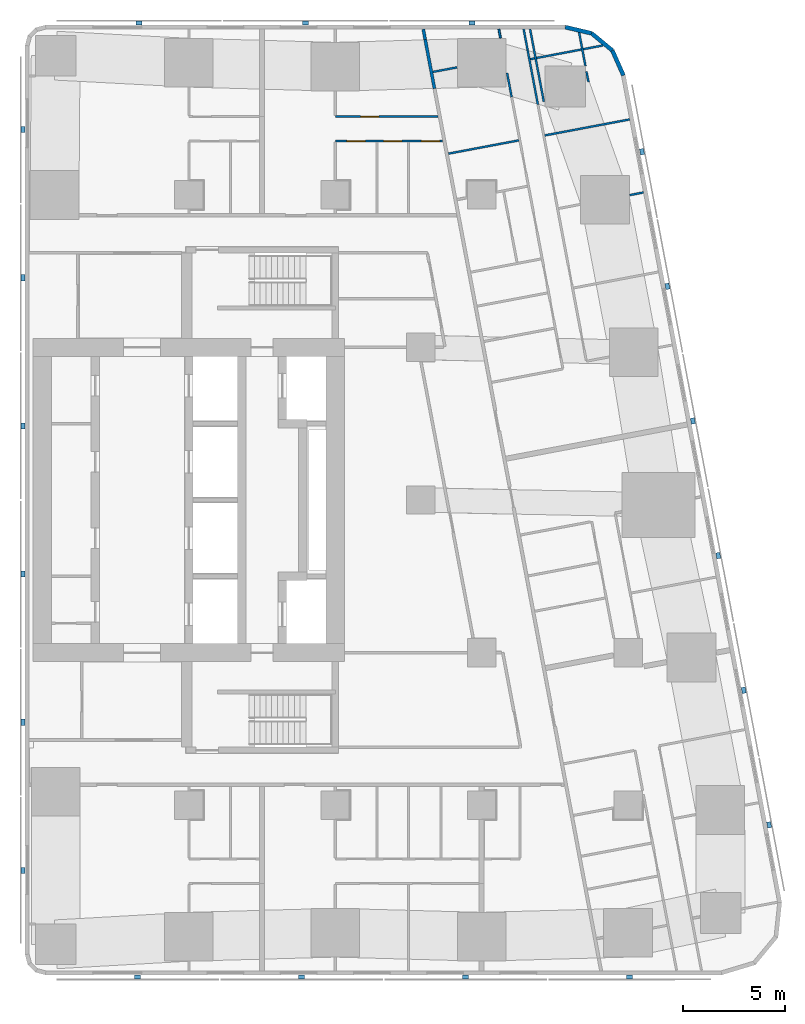
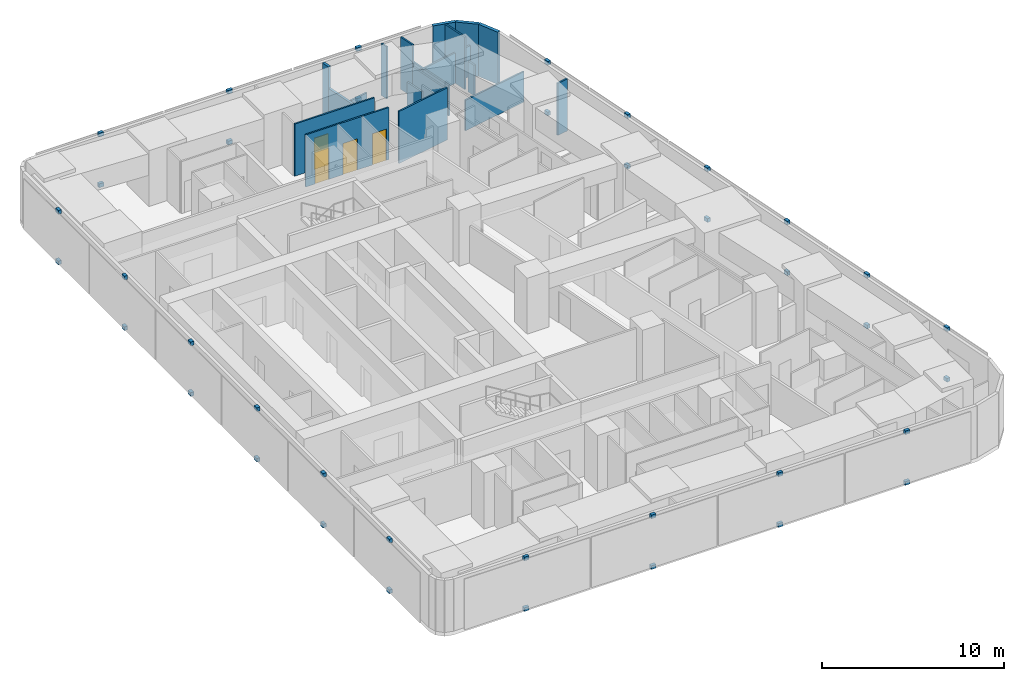
# One storey, part 8 of 10: 38 discrete accessories, 19 walls, 4 doors, 4 openings.
"""IFC4 building model written with IfcOpenShell, lengths in metres."""

from ifc_helpers import new_model, si_unit, direction, frame, frame_2d, origin, origin_2d, place, context, subcontext, project, spatial, rectangle, extrude, material, layer, layer_set, type_object, element, fill, save


model = new_model("IFC4")

# Units and contexts
model_context = context("Model", 3, precision=1e-05, world=origin(), true_north=direction((0.0, 1.0)))
body_context = subcontext(model_context, "Body", "Model", "MODEL_VIEW")
ifc_project = project(units=[si_unit("LENGTHUNIT", "METRE"), si_unit("AREAUNIT", "SQUARE_METRE"), si_unit("VOLUMEUNIT", "CUBIC_METRE"), si_unit("PLANEANGLEUNIT", "RADIAN"), si_unit("MASSUNIT", "GRAM", prefix="KILO")], contexts=[model_context])

# Site, building, storey
site_placement = place(None, origin())
site = spatial("IfcSite", under=ifc_project, at=site_placement, CompositionType="ELEMENT")
building_placement = place(site_placement, origin())
building = spatial("IfcBuilding", under=site, at=building_placement, Name="Sheger Commons Tower", CompositionType="ELEMENT")
storey_placement = place(building_placement, frame((0.0, 0.0, 227.449951171875)))
storey = spatial("IfcBuildingStorey", under=building, at=storey_placement, Name="L58", CompositionType="ELEMENT", Elevation=227.449951171875)

# Walls
ifc_material_1 = material(Name="Hollow concrete block masonry, skimmed both sides", Category="masonry")
ifc_layer_1 = layer(ifc_material_1, 0.14990234375)
ifc_layer_set_1 = layer_set([ifc_layer_1], Name="CORRIDOR WALL 150")
wall_type_1 = type_object("IfcWallType", Name="CORRIDOR WALL 150", PredefinedType="SOLIDWALL", material=ifc_layer_set_1)
wall_1_placement = place(storey_placement, frame((33.126953125, 45.64990234375, 0.0), z_axis=(0.0, 0.0, 1.0), x_axis=(0.185441815104, -0.982655246366, 0.0)))
element("IfcWall", 1, at=wall_1_placement, inside=storey, type_object=wall_type_1, Name="Corridor wall L58", PredefinedType="SOLIDWALL", context=body_context, shape_type="SweptSolid", body=[
    extrude(rectangle(XDim=0.52392578125, YDim=0.14990234375, at=frame_2d((0.261962890625, 0.0))), origin(), (0.0, 0.0, 1.0), 3.5),
])
wall_2_placement = place(storey_placement, frame((33.22412109375, 45.135009765625, 0.0), z_axis=(0.0, 0.0, 1.0), x_axis=(0.185681462868, -0.982609990967, 0.0)))
element("IfcWall", 2, at=wall_2_placement, inside=storey, type_object=wall_type_1, Name="Corridor wall L58", PredefinedType="SOLIDWALL", context=body_context, shape_type="SweptSolid", body=[
    extrude(rectangle(XDim=2.454833984375, YDim=0.14990234375, at=frame_2d((1.2275390625, 0.0))), origin(), (0.0, 0.0, 1.0), 2.050048828125),
])
ifc_material_2 = material(Name="Rendered concrete block masonry, dark grey", Category="masonry")
ifc_layer_2 = layer(ifc_material_2, 0.199951171875)
ifc_layer_set_2 = layer_set([ifc_layer_2], Name="FACADE WALL 200")
wall_type_2 = type_object("IfcWallType", Name="FACADE WALL 200", PredefinedType="SOLIDWALL", material=ifc_layer_set_2)
wall_3_placement = place(storey_placement, frame((42.969970703125, 43.376953125, 0.0), z_axis=(0.0, 0.0, 1.0), x_axis=(-0.406002956633, 0.913871762998, 0.0)))
element("IfcWall", 3, at=wall_3_placement, inside=storey, type_object=wall_type_2, Name="Facade wall L58", PredefinedType="SOLIDWALL", context=body_context, shape_type="SweptSolid", body=[
    extrude(rectangle(XDim=1.33740234375, YDim=0.199951171875, at=frame_2d((0.668701171875, 0.0))), origin(), (0.0, 0.0, 1.0), 3.5),
])
wall_4_placement = place(storey_placement, frame((42.427001953125, 44.59912109375, 0.0), z_axis=(0.0, 0.0, 1.0), x_axis=(-0.770091412544, 0.637933551655, 0.0)))
element("IfcWall", 4, at=wall_4_placement, inside=storey, type_object=wall_type_2, Name="Facade wall L58", PredefinedType="SOLIDWALL", context=body_context, shape_type="SweptSolid", body=[
    extrude(rectangle(XDim=1.324462890625, YDim=0.199951171875, at=frame_2d((0.662109375, 0.0))), origin(), (0.0, 0.0, 1.0), 3.5),
])
wall_5_placement = place(storey_placement, frame((41.406982421875, 45.444091796875, 0.0), z_axis=(0.0, 0.0, 1.0), x_axis=(-0.973453091607, 0.228886606077, 0.0)))
element("IfcWall", 5, at=wall_5_placement, inside=storey, type_object=wall_type_2, Name="Facade wall L58", PredefinedType="SOLIDWALL", context=body_context, shape_type="SweptSolid", body=[
    extrude(rectangle(XDim=1.33642578125, YDim=0.199951171875, at=frame_2d((0.668212890625, 0.0))), origin(), (0.0, 0.0, 1.0), 3.5),
])
ifc_material_3 = material(Name="Gypsum board on steel studs", Category="steel")
ifc_layer_3 = layer(ifc_material_3, 0.10009765625)
ifc_layer_set_3 = layer_set([ifc_layer_3], Name="PARTITION 100")
wall_type_3 = type_object("IfcWallType", Name="PARTITION 100", PredefinedType="PARTITIONING", material=ifc_layer_set_3)
wall_6_placement = place(storey_placement, frame((39.053955078125, 42.0849609375, 0.0), z_axis=(0.0, 0.0, 1.0), x_axis=(-0.185791584218, 0.982589175207, 0.0)))
element("IfcWall", 6, at=wall_6_placement, inside=storey, type_object=wall_type_3, Name="Partition L58", PredefinedType="PARTITIONING", context=body_context, shape_type="SweptSolid", body=[
    extrude(rectangle(XDim=3.628173828125, YDim=0.10009765625, at=frame_2d((1.81396484375, 0.0))), origin(), (0.0, 0.0, 1.0), 2.050048828125),
])
wall_7_placement = place(storey_placement, frame((40.7890625, 45.487060546875, 0.0), z_axis=(0.0, 0.0, 1.0), x_axis=(0.185572395193, -0.982630594955, 0.0)))
element("IfcWall", 7, at=wall_7_placement, inside=storey, type_object=wall_type_3, Name="Partition L58", PredefinedType="PARTITIONING", context=body_context, shape_type="SweptSolid", body=[
    extrude(rectangle(XDim=1.676025390625, YDim=0.10009765625, at=frame_2d((0.837890625, 0.0))), origin(), (0.0, 0.0, 1.0), 3.5),
])
wall_8_placement = place(storey_placement, frame((41.15087890625, 43.569091796875, 0.0), z_axis=(0.0, 0.0, 1.0), x_axis=(0.186563073924, -0.982442985342, 0.0)))
element("IfcWall", 8, at=wall_8_placement, inside=storey, type_object=wall_type_3, Name="Partition L58", PredefinedType="PARTITIONING", context=body_context, shape_type="SweptSolid", body=[
    extrude(rectangle(XDim=0.53125, YDim=0.10009765625, at=frame_2d((0.265625, 0.0))), origin(), (0.0, 0.0, 1.0), 2.050048828125),
])
wall_9_placement = place(storey_placement, frame((38.06298828125, 45.64990234375, 0.0), z_axis=(0.0, 0.0, 1.0), x_axis=(0.185677287841, -0.982610779902, 0.0)))
element("IfcWall", 9, at=wall_9_placement, inside=storey, type_object=wall_type_3, Name="Partition L58", PredefinedType="PARTITIONING", context=body_context, shape_type="SweptSolid", body=[
    extrude(rectangle(XDim=1.0400390625, YDim=0.10009765625, at=frame_2d((0.52001953125, 0.0))), origin(), (0.0, 0.0, 1.0), 3.5),
])
wall_10_placement = place(storey_placement, frame((38.256103515625, 44.6279296875, 0.0), z_axis=(0.0, 0.0, 1.0), x_axis=(0.185700639943, -0.982606366927, 0.0)))
element("IfcWall", 10, at=wall_10_placement, inside=storey, type_object=wall_type_3, Name="Partition L58", PredefinedType="PARTITIONING", context=body_context, shape_type="SweptSolid", body=[
    extrude(rectangle(XDim=2.734619140625, YDim=0.10009765625, at=frame_2d((1.3671875, 0.0))), origin(), (0.0, 0.0, 1.0), 2.050048828125),
])
wall_11_placement = place(storey_placement, frame((36.842041015625, 45.64990234375, 0.0), z_axis=(0.0, 0.0, 1.0), x_axis=(0.185407859198, -0.982661653748, 0.0)))
element("IfcWall", 11, at=wall_11_placement, inside=storey, type_object=wall_type_3, Name="Partition L58", PredefinedType="PARTITIONING", context=body_context, shape_type="SweptSolid", body=[
    extrude(rectangle(XDim=0.44775390625, YDim=0.10009765625, at=frame_2d((0.223876953125, 0.0))), origin(), (0.0, 0.0, 1.0), 3.5),
])
wall_12_placement = place(storey_placement, frame((37.2490234375, 43.492919921875, 0.0), z_axis=(0.0, 0.0, 1.0), x_axis=(0.185817643817, -0.982584247404, 0.0)))
element("IfcWall", 12, at=wall_12_placement, inside=storey, type_object=wall_type_3, Name="Partition L58", PredefinedType="PARTITIONING", context=body_context, shape_type="SweptSolid", body=[
    extrude(rectangle(XDim=1.204833984375, YDim=0.10009765625, at=frame_2d((0.6025390625, 0.0))), origin(), (0.0, 0.0, 1.0), 2.050048828125),
])
wall_13_placement = place(storey_placement, frame((41.968017578125, 44.85009765625, 0.0), z_axis=(0.0, 0.0, 1.0), x_axis=(-0.98258614234, -0.185807623311, 0.0)))
element("IfcWall", 13, at=wall_13_placement, inside=storey, type_object=wall_type_3, Name="Partition L58", PredefinedType="PARTITIONING", context=body_context, shape_type="SweptSolid", body=[
    extrude(rectangle(XDim=3.638427734375, YDim=0.10009765625, at=frame_2d((1.8193359375, 0.0))), origin(), (0.0, 0.0, 1.0), 2.050048828125),
])
wall_14_placement = place(storey_placement, frame((43.277099609375, 41.2119140625, 0.0), z_axis=(0.0, 0.0, 1.0), x_axis=(-0.982665405803, -0.185387972203, 0.0)))
element("IfcWall", 14, at=wall_14_placement, inside=storey, type_object=wall_type_3, Name="Partition L58", PredefinedType="PARTITIONING", context=body_context, shape_type="SweptSolid", body=[
    extrude(rectangle(XDim=4.249755859375, YDim=0.10009765625, at=frame_2d((2.125, 0.0))), origin(), (0.0, 0.0, 1.0), 2.050048828125),
])
wall_15_placement = place(storey_placement, frame((43.955078125, 37.6201171875, 0.0), z_axis=(0.0, 0.0, 1.0), x_axis=(-0.982495415327, -0.186286765128, 0.0)))
element("IfcWall", 15, at=wall_15_placement, inside=storey, type_object=wall_type_3, Name="Partition L58", PredefinedType="PARTITIONING", context=body_context, shape_type="SweptSolid", body=[
    extrude(rectangle(XDim=0.693359375, YDim=0.10009765625, at=frame_2d((0.3466796875, 0.0))), origin(), (0.0, 0.0, 1.0), 3.5),
])
wall_16_placement = place(storey_placement, frame((34.7900390625, 43.77099609375, 0.0), z_axis=(0.0, 0.0, 1.0), x_axis=(-0.982730261052, -0.18504387051, 0.0)))
element("IfcWall", 16, at=wall_16_placement, inside=storey, type_object=wall_type_3, Name="Partition L58", PredefinedType="PARTITIONING", context=body_context, shape_type="SweptSolid", body=[
    extrude(rectangle(XDim=1.2099609375, YDim=0.10009765625, at=frame_2d((0.60498046875, 0.0))), origin(), (0.0, 0.0, 1.0), 2.050048828125),
])
wall_17_placement = place(storey_placement, frame((37.823974609375, 40.181884765625, 0.0), z_axis=(0.0, 0.0, 1.0), x_axis=(-0.982648794755, -0.185475998897, 0.0)))
element("IfcWall", 17, at=wall_17_placement, inside=storey, type_object=wall_type_3, Name="Partition L58", PredefinedType="PARTITIONING", context=body_context, shape_type="SweptSolid", body=[
    extrude(rectangle(XDim=3.525146484375, YDim=0.10009765625, at=frame_2d((1.7626953125, 0.0))), origin(), (0.0, 0.0, 1.0), 3.5),
])

# Wall, opening, door
wall_18_placement = place(storey_placement, frame((28.800048828125, 41.35009765625, 0.0), z_axis=(0.0, 0.0, 1.0), x_axis=(1.0, 0.0, 0.0)))
wall_18 = element("IfcWall", 18, at=wall_18_placement, inside=storey, type_object=wall_type_3, Name="Partition L58", PredefinedType="PARTITIONING", context=body_context, shape_type="SweptSolid", body=[
    extrude(rectangle(XDim=5.052978515625, YDim=0.10009765625, at=frame_2d((2.5263671875, 0.0))), origin(), (0.0, 0.0, 1.0), 3.5),
])
opening_1_placement = place(wall_18_placement, frame((1.25, 0.0, 0.0)))
opening_1 = element("IfcOpeningElement", 19, at=opening_1_placement, cuts=wall_18, Name="Opening D2", PredefinedType="OPENING", context=body_context, shape_type="SweptSolid", body=[
    extrude(rectangle(XDim=0.89990234375, YDim=2.10009765625, at=frame_2d((0.449951171875, 1.050048828125))), frame((0.0, 0.06005859375, 0.0), z_axis=(0.0, -1.0, 0.0), x_axis=(1.0, 0.0, 0.0)), (0.0, 0.0, 1.0), 0.1201171875),
])
ifc_material_4 = material(Name="Timber door set", Category="wood")
door_type = type_object("IfcDoorType", Name="INTERNAL DOOR 900x2100", OperationType="NOTDEFINED", PredefinedType="DOOR", material=ifc_material_4)
door_1_placement = place(opening_1_placement, origin())
door_1 = element("IfcDoor", 20, at=door_1_placement, inside=storey, type_object=door_type, Name="Main bedroom door", OperationType="SINGLE_SWING_RIGHT", OverallHeight=2.10009765625, OverallWidth=0.89990234375, PredefinedType="DOOR", context=body_context, shape_type="SweptSolid", body=[
    extrude(rectangle(XDim=0.89990234375, YDim=2.10009765625, at=frame_2d((0.449951171875, 1.050048828125))), frame((0.0, 0.02490234375, 0.0), z_axis=(0.0, -1.0, 0.0), x_axis=(1.0, 0.0, 0.0)), (0.0, 0.0, 1.0), 0.050048828125),
])
fill(opening_1, door_1)

# Wall, openings, doors
wall_19_placement = place(storey_placement, frame((28.800048828125, 40.14990234375, 0.0), z_axis=(0.0, 0.0, 1.0), x_axis=(1.0, 0.0, 0.0)))
wall_19 = element("IfcWall", 21, at=wall_19_placement, inside=storey, type_object=wall_type_3, Name="Partition L58", PredefinedType="PARTITIONING", context=body_context, shape_type="SweptSolid", body=[
    extrude(rectangle(XDim=5.280029296875, YDim=0.10009765625, at=frame_2d((2.64013671875, 0.0))), origin(), (0.0, 0.0, 1.0), 3.5),
])
opening_2_placement = place(wall_19_placement, frame((0.574951171875, 0.0, 0.0)))
opening_2 = element("IfcOpeningElement", 22, at=opening_2_placement, cuts=wall_19, Name="Opening D2", PredefinedType="OPENING", context=body_context, shape_type="SweptSolid", body=[
    extrude(rectangle(XDim=0.89990234375, YDim=2.10009765625, at=frame_2d((0.449951171875, 1.050048828125))), frame((0.0, 0.06005859375, 0.0), z_axis=(0.0, -1.0, 0.0), x_axis=(1.0, 0.0, 0.0)), (0.0, 0.0, 1.0), 0.1201171875),
])
opening_3_placement = place(wall_19_placement, frame((4.22998046875, 0.0, 0.0)))
opening_3 = element("IfcOpeningElement", 23, at=opening_3_placement, cuts=wall_19, Name="Opening D2", PredefinedType="OPENING", context=body_context, shape_type="SweptSolid", body=[
    extrude(rectangle(XDim=0.89990234375, YDim=2.10009765625, at=frame_2d((0.449951171875, 1.050048828125))), frame((0.0, 0.06005859375, 0.0), z_axis=(0.0, -1.0, 0.0), x_axis=(1.0, 0.0, 0.0)), (0.0, 0.0, 1.0), 0.1201171875),
])
opening_4_placement = place(wall_19_placement, frame((2.375, 0.0, 0.0)))
opening_4 = element("IfcOpeningElement", 24, at=opening_4_placement, cuts=wall_19, Name="Opening D2", PredefinedType="OPENING", context=body_context, shape_type="SweptSolid", body=[
    extrude(rectangle(XDim=0.89990234375, YDim=2.10009765625, at=frame_2d((0.449951171875, 1.050048828125))), frame((0.0, 0.06005859375, 0.0), z_axis=(0.0, -1.0, 0.0), x_axis=(1.0, 0.0, 0.0)), (0.0, 0.0, 1.0), 0.1201171875),
])
door_2_placement = place(opening_2_placement, origin())
door_2 = element("IfcDoor", 25, at=door_2_placement, inside=storey, type_object=door_type, Name="Bathroom door", OperationType="SINGLE_SWING_RIGHT", OverallHeight=2.10009765625, OverallWidth=0.89990234375, PredefinedType="DOOR", context=body_context, shape_type="SweptSolid", body=[
    extrude(rectangle(XDim=0.89990234375, YDim=2.10009765625, at=frame_2d((0.449951171875, 1.050048828125))), frame((0.0, 0.02490234375, 0.0), z_axis=(0.0, -1.0, 0.0), x_axis=(1.0, 0.0, 0.0)), (0.0, 0.0, 1.0), 0.050048828125),
])
fill(opening_2, door_2)
door_3_placement = place(opening_3_placement, origin())
door_3 = element("IfcDoor", 26, at=door_3_placement, inside=storey, type_object=door_type, Name="Laundry room door", OperationType="SINGLE_SWING_LEFT", OverallHeight=2.10009765625, OverallWidth=0.89990234375, PredefinedType="DOOR", context=body_context, shape_type="SweptSolid", body=[
    extrude(rectangle(XDim=0.89990234375, YDim=2.10009765625, at=frame_2d((0.449951171875, 1.050048828125))), frame((0.0, 0.02490234375, 0.0), z_axis=(0.0, -1.0, 0.0), x_axis=(1.0, 0.0, 0.0)), (0.0, 0.0, 1.0), 0.050048828125),
])
fill(opening_3, door_3)
door_4_placement = place(opening_4_placement, origin())
door_4 = element("IfcDoor", 27, at=door_4_placement, inside=storey, type_object=door_type, Name="Store door", OperationType="SINGLE_SWING_RIGHT", OverallHeight=2.10009765625, OverallWidth=0.89990234375, PredefinedType="DOOR", context=body_context, shape_type="SweptSolid", body=[
    extrude(rectangle(XDim=0.89990234375, YDim=2.10009765625, at=frame_2d((0.449951171875, 1.050048828125))), frame((0.0, 0.02490234375, 0.0), z_axis=(0.0, -1.0, 0.0), x_axis=(1.0, 0.0, 0.0)), (0.0, 0.0, 1.0), 0.050048828125),
])
fill(opening_4, door_4)

# Discrete accessories
ifc_material_5 = material(Name="Black painted steel bracket", Category="steel")
discrete_accessory_type = type_object("IfcDiscreteAccessoryType", Name="SCREEN BRACKET 300x200x250", PredefinedType="BRACKET", material=ifc_material_5)
for number, where, z_axis, x_axis, name in (
    (28, (19.08203125, -0.949951171875, -0.099853515625), (0.0, 0.0, 1.0), (1.0, 0.0, 0.0), "Solar screen foot bracket"),
    (29, (19.08203125, -0.949951171875, 3.300048828125), (0.0, 0.0, 1.0), (1.0, 0.0, 0.0), "Solar screen head bracket"),
    (30, (27.14599609375, -0.949951171875, -0.099853515625), (0.0, 0.0, 1.0), (1.0, 0.0, 0.0), "Solar screen foot bracket"),
    (31, (27.14599609375, -0.949951171875, 3.300048828125), (0.0, 0.0, 1.0), (1.0, 0.0, 0.0), "Solar screen head bracket"),
    (32, (35.2099609375, -0.949951171875, -0.099853515625), (0.0, 0.0, 1.0), (1.0, 0.0, 0.0), "Solar screen foot bracket"),
    (33, (35.2099609375, -0.949951171875, 3.300048828125), (0.0, 0.0, 1.0), (1.0, 0.0, 0.0), "Solar screen head bracket"),
    (34, (43.27392578125, -0.949951171875, -0.099853515625), (0.0, 0.0, 1.0), (1.0, 0.0, 0.0), "Solar screen foot bracket"),
    (35, (43.27392578125, -0.949951171875, 3.300048828125), (0.0, 0.0, 1.0), (1.0, 0.0, 0.0), "Solar screen head bracket"),
    (36, (50.134033203125, 6.527099609375, -0.099853515625), (0.0, 0.0, 1.0), (-0.185615165645, 0.982622516678, 0.0), "Solar screen foot bracket"),
    (37, (50.134033203125, 6.527099609375, 3.300048828125), (0.0, 0.0, 1.0), (-0.185615165645, 0.982622516678, 0.0), "Solar screen head bracket"),
    (38, (48.884033203125, 13.14599609375, -0.099853515625), (0.0, 0.0, 1.0), (-0.185615165645, 0.982622516678, 0.0), "Solar screen foot bracket"),
    (39, (48.884033203125, 13.14599609375, 3.300048828125), (0.0, 0.0, 1.0), (-0.185615165645, 0.982622516678, 0.0), "Solar screen head bracket"),
    (40, (47.633056640625, 19.76611328125, -0.099853515625), (0.0, 0.0, 1.0), (-0.185615165645, 0.982622516678, 0.0), "Solar screen foot bracket"),
    (41, (47.633056640625, 19.76611328125, 3.300048828125), (0.0, 0.0, 1.0), (-0.185615165645, 0.982622516678, 0.0), "Solar screen head bracket"),
    (42, (46.383056640625, 26.385009765625, -0.099853515625), (0.0, 0.0, 1.0), (-0.185615165645, 0.982622516678, 0.0), "Solar screen foot bracket"),
    (43, (46.383056640625, 26.385009765625, 3.300048828125), (0.0, 0.0, 1.0), (-0.185615165645, 0.982622516678, 0.0), "Solar screen head bracket"),
    (44, (45.133056640625, 33.0048828125, -0.099853515625), (0.0, 0.0, 1.0), (-0.185615165645, 0.982622516678, 0.0), "Solar screen foot bracket"),
    (45, (45.133056640625, 33.0048828125, 3.300048828125), (0.0, 0.0, 1.0), (-0.185615165645, 0.982622516678, 0.0), "Solar screen head bracket"),
    (46, (43.882080078125, 39.6240234375, -0.099853515625), (0.0, 0.0, 1.0), (-0.185615165645, 0.982622516678, 0.0), "Solar screen foot bracket"),
    (47, (43.882080078125, 39.6240234375, 3.300048828125), (0.0, 0.0, 1.0), (-0.185615165645, 0.982622516678, 0.0), "Solar screen head bracket"),
    (48, (35.52294921875, 45.949951171875, -0.099853515625), (0.0, 0.0, 1.0), (-1.0, 0.0, 0.0), "Solar screen foot bracket"),
    (49, (35.52294921875, 45.949951171875, 3.300048828125), (0.0, 0.0, 1.0), (-1.0, 0.0, 0.0), "Solar screen head bracket"),
    (50, (27.333984375, 45.949951171875, -0.099853515625), (0.0, 0.0, 1.0), (-1.0, 0.0, 0.0), "Solar screen foot bracket"),
    (51, (27.333984375, 45.949951171875, 3.300048828125), (0.0, 0.0, 1.0), (-1.0, 0.0, 0.0), "Solar screen head bracket"),
    (52, (19.14501953125, 45.949951171875, -0.099853515625), (0.0, 0.0, 1.0), (-1.0, 0.0, 0.0), "Solar screen foot bracket"),
    (53, (19.14501953125, 45.949951171875, 3.300048828125), (0.0, 0.0, 1.0), (-1.0, 0.0, 0.0), "Solar screen head bracket"),
    (54, (13.449951171875, 40.7080078125, -0.099853515625), (0.0, 0.0, 1.0), (0.0, -1.0, 0.0), "Solar screen foot bracket"),
    (55, (13.449951171875, 40.7080078125, 3.300048828125), (0.0, 0.0, 1.0), (0.0, -1.0, 0.0), "Solar screen head bracket"),
    (56, (13.449951171875, 33.425048828125, -0.099853515625), (0.0, 0.0, 1.0), (0.0, -1.0, 0.0), "Solar screen foot bracket"),
    (57, (13.449951171875, 33.425048828125, 3.300048828125), (0.0, 0.0, 1.0), (0.0, -1.0, 0.0), "Solar screen head bracket"),
    (58, (13.449951171875, 26.14208984375, -0.099853515625), (0.0, 0.0, 1.0), (0.0, -1.0, 0.0), "Solar screen foot bracket"),
    (59, (13.449951171875, 26.14208984375, 3.300048828125), (0.0, 0.0, 1.0), (0.0, -1.0, 0.0), "Solar screen head bracket"),
    (60, (13.449951171875, 18.85791015625, -0.099853515625), (0.0, 0.0, 1.0), (0.0, -1.0, 0.0), "Solar screen foot bracket"),
    (61, (13.449951171875, 18.85791015625, 3.300048828125), (0.0, 0.0, 1.0), (0.0, -1.0, 0.0), "Solar screen head bracket"),
    (62, (13.449951171875, 11.574951171875, -0.099853515625), (0.0, 0.0, 1.0), (0.0, -1.0, 0.0), "Solar screen foot bracket"),
    (63, (13.449951171875, 11.574951171875, 3.300048828125), (0.0, 0.0, 1.0), (0.0, -1.0, 0.0), "Solar screen head bracket"),
    (64, (13.449951171875, 4.2919921875, -0.099853515625), (0.0, 0.0, 1.0), (0.0, -1.0, 0.0), "Solar screen foot bracket"),
    (65, (13.449951171875, 4.2919921875, 3.300048828125), (0.0, 0.0, 1.0), (0.0, -1.0, 0.0), "Solar screen head bracket"),
):
    element("IfcDiscreteAccessory", number, at=place(storey_placement, frame(where, z_axis=z_axis, x_axis=x_axis)), inside=storey, type_object=discrete_accessory_type, Name=name, PredefinedType="BRACKET", context=body_context, shape_type="SweptSolid", body=[
        extrude(rectangle(XDim=0.300048828125, YDim=0.199951171875, at=origin_2d()), origin(), (0.0, 0.0, 1.0), 0.25),
    ])

save(model, "model.ifc")
